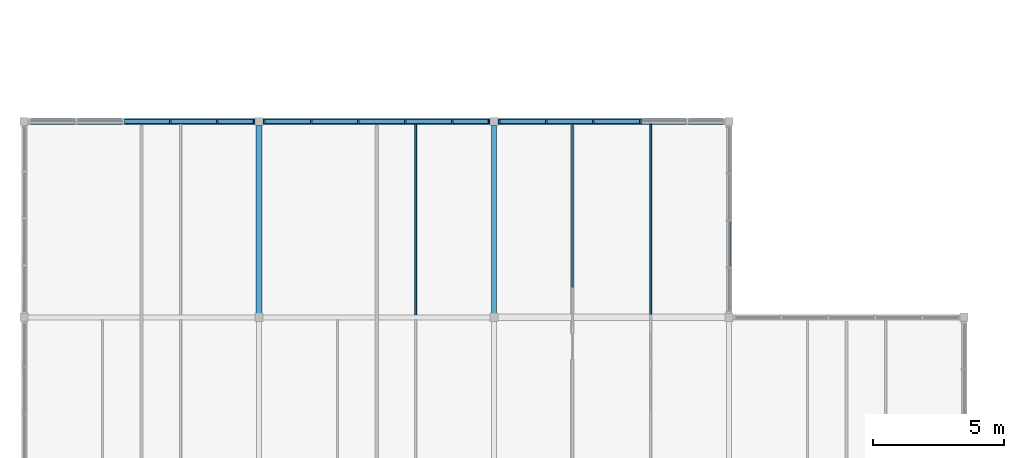
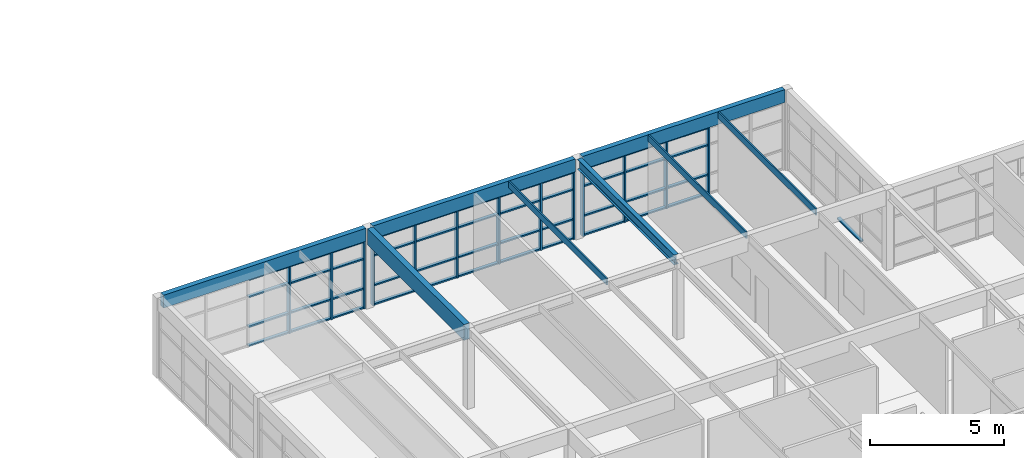
# One storey, part 7 of 24: 58 members, 8 beams, 4 elements without a shape of their own.
"""IFC4 building model written with IfcOpenShell, lengths in metres."""

from ifc_helpers import new_model, si_unit, direction, frame, origin, origin_2d, place, context, subcontext, project, spatial, rectangle, i_section, extrude, material, layer, layer_set, material_profile, profile_set, type_object, element, aggregate, save


model = new_model("IFC4")

# Units and contexts
model_context = context("Model", 3, precision=1e-05, world=origin(), true_north=direction((0.0, 1.0)))
body_context = subcontext(model_context, "Body", "Model", "MODEL_VIEW")
ifc_project = project(units=[si_unit("LENGTHUNIT", "METRE"), si_unit("AREAUNIT", "SQUARE_METRE"), si_unit("VOLUMEUNIT", "CUBIC_METRE"), si_unit("PLANEANGLEUNIT", "RADIAN"), si_unit("MASSUNIT", "GRAM", prefix="KILO")], contexts=[model_context])

# Site, building, storey
site_placement = place(None, origin())
site = spatial("IfcSite", under=ifc_project, at=site_placement, CompositionType="ELEMENT")
building_placement = place(site_placement, origin())
building = spatial("IfcBuilding", under=site, at=building_placement, Name="Marnridge Secondary College", CompositionType="ELEMENT")
storey_placement = place(building_placement, frame((0.0, 0.0, 16.10009765625)))
storey = spatial("IfcBuildingStorey", under=building, at=storey_placement, Name="L04", CompositionType="ELEMENT", Elevation=16.10009765625)

# Beams
ifc_material_1 = material(Name="Glulam timber GL18", Category="wood")
ifc_material_profile_1 = material_profile(ifc_material_1, rectangle(XDim=0.215087890625, YDim=0.5849609375, at=origin_2d()), Name="GL18 215x585")
ifc_profile_set_1 = profile_set([ifc_material_profile_1], Name="Glulam timber GL18")
beam_type_1 = type_object("IfcBeamType", Name="BM-GL585-EXT", PredefinedType="SPANDREL", material=ifc_profile_set_1)
for number, where, z_axis, x_axis, name in (
    (1, (0.151611328125, 37.5, 3.357421875), (1.0, 0.0, 0.0), (0.0, 1.0, 0.0), "Beam BRF-L04-1423"),
    (2, (9.151611328125, 37.5, 3.357421875), (1.0, 0.0, 0.0), (0.0, 1.0, 0.0), "Beam BRF-L04-1426"),
    (3, (18.151611328125, 37.5, 3.357421875), (1.0, 0.0, 0.0), (0.0, 1.0, 0.0), "Beam BRF-L04-1428"),
):
    element("IfcBeam", number, at=place(storey_placement, frame(where, z_axis=z_axis, x_axis=x_axis)), inside=storey, type_object=beam_type_1, Name=name, PredefinedType="SPANDREL", context=body_context, shape_type="SweptSolid", body=[
        extrude(rectangle(XDim=0.215087890625, YDim=0.5849609375, at=origin_2d()), origin(), (0.0, 0.0, 1.0), 8.69677734375),
    ])
ifc_material_2 = material(Name="Glulam timber GL18", Category="wood")
ifc_material_profile_2 = material_profile(ifc_material_2, rectangle(XDim=0.239990234375, YDim=0.719970703125, at=origin_2d()), Name="GL18 240x720")
ifc_profile_set_2 = profile_set([ifc_material_profile_2], Name="Glulam timber GL18")
beam_type_2 = type_object("IfcBeamType", Name="BM-GL720-INT", PredefinedType="BEAM", material=ifc_profile_set_2)
beam_1_placement = place(storey_placement, frame((9.0, 30.151611328125, 3.289794921875), z_axis=(0.0, 1.0, 0.0), x_axis=(-1.0, 0.0, 0.0)))
element("IfcBeam", 4, at=beam_1_placement, inside=storey, type_object=beam_type_2, Name="Beam BRF-L04-1425", PredefinedType="BEAM", context=body_context, shape_type="SweptSolid", body=[
    extrude(rectangle(XDim=0.239990234375, YDim=0.719970703125, at=origin_2d()), origin(), (0.0, 0.0, 1.0), 7.19677734375),
])
ifc_material_3 = material(Name="Engineered timber LVL E13.2", Category="wood")
ifc_material_profile_3 = material_profile(ifc_material_3, rectangle(XDim=0.06298828125, YDim=0.300048828125, at=origin_2d()), Name="LVL 63x300")
ifc_profile_set_3 = profile_set([ifc_material_profile_3], Name="Engineered timber LVL E13.2")
beam_type_3 = type_object("IfcBeamType", Name="BM-LVL300-INT", PredefinedType="JOIST", material=ifc_profile_set_3)
beam_2_placement = place(storey_placement, frame((15.0, 30.089111328125, 3.5), z_axis=(0.0, 1.0, 0.0), x_axis=(-1.0, 0.0, 0.0)))
element("IfcBeam", 5, at=beam_2_placement, inside=storey, type_object=beam_type_3, Name="Beam BJ-L04-1457", PredefinedType="JOIST", context=body_context, shape_type="SweptSolid", body=[
    extrude(rectangle(XDim=0.06298828125, YDim=0.300048828125, at=origin_2d()), origin(), (0.0, 0.0, 1.0), 7.309326171875),
])
for number, where, z_axis, x_axis, name in (
    (6, (21.0, 30.114013671875, 3.5), (0.0, 1.0, 0.0), (-1.0, 0.0, 0.0), "Beam BJ-L04-1458"),
    (7, (24.0, 30.114013671875, 3.5), (0.0, 1.0, 0.0), (-1.0, 0.0, 0.0), "Beam BJ-L04-1459"),
):
    element("IfcBeam", number, at=place(storey_placement, frame(where, z_axis=z_axis, x_axis=x_axis)), inside=storey, type_object=beam_type_3, Name=name, PredefinedType="JOIST", context=body_context, shape_type="SweptSolid", body=[
        extrude(rectangle(XDim=0.06298828125, YDim=0.300048828125, at=origin_2d()), origin(), (0.0, 0.0, 1.0), 7.284423828125),
    ])
ifc_material_4 = material(Name="Structural steel Grade 350 (AS/NZS 3679.1/.2, fy = 340-360 MPa)", Category="steel")
ifc_material_profile_4 = material_profile(ifc_material_4, i_section(OverallWidth=0.1904296875, OverallDepth=0.45751953125, WebThickness=0.009033203125, FlangeThickness=0.014404296875, FilletRadius=0.011474609375, at=origin_2d()), Name="460UB74.6")
ifc_profile_set_4 = profile_set([ifc_material_profile_4], Name="Structural steel Grade 350 (AS/NZS 3679.1/.2, fy = 340-360 MPa)")
beam_type_4 = type_object("IfcBeamType", Name="BM-UB460-INT", PredefinedType="BEAM", material=ifc_profile_set_4)
beam_3_placement = place(storey_placement, frame((18.0, 30.151611328125, 3.421142578125), z_axis=(0.0, 1.0, 0.0), x_axis=(-1.0, 0.0, 0.0)))
element("IfcBeam", 8, at=beam_3_placement, inside=storey, type_object=beam_type_4, Name="Beam BRF-L04-1427", PredefinedType="BEAM", context=body_context, shape_type="SweptSolid", body=[
    extrude(i_section(OverallWidth=0.1904296875, OverallDepth=0.45751953125, WebThickness=0.009033203125, FlangeThickness=0.014404296875, FilletRadius=0.011474609375, at=origin_2d()), origin(), (0.0, 0.0, 1.0), 7.19677734375),
])

# Curtain wall, members
ifc_material_5 = material(Name="Bronze-anodised aluminium and solar-control glazing", Category="aluminium")
ifc_layer = layer(ifc_material_5, 0.199951171875)
ifc_layer_set = layer_set([ifc_layer], Name="CW-MOD-1800")
curtain_wall_type = type_object("IfcCurtainWallType", Name="CW-MOD-1800", PredefinedType="NOTDEFINED", material=ifc_layer_set)
curtain_wall_1_placement = place(storey_placement, origin())
curtain_wall_1 = element("IfcCurtainWall", 9, at=curtain_wall_1_placement, inside=storey, type_object=curtain_wall_type, Name="Unitised curtain wall CW-L04-140", PredefinedType="NOTDEFINED")
ifc_material_6 = material(Name="Bronze-anodised aluminium 6063-T6", Category="aluminium")
ifc_material_profile_5 = material_profile(ifc_material_6, rectangle(XDim=0.070068359375, YDim=0.199951171875, at=origin_2d()), Name="ALU 70x200")
ifc_profile_set_5 = profile_set([ifc_material_profile_5], Name="Bronze-anodised aluminium 6063-T6")
member_type_1 = type_object("IfcMemberType", Name="CWM-ALU200", PredefinedType="MULLION", material=ifc_profile_set_5)
member_1_placement = place(storey_placement, frame((5.596435546875, 37.5, 0.0), z_axis=(0.0, 0.0, 1.0), x_axis=(1.0, 0.0, 0.0)))
member_1 = element("IfcMember", 10, at=member_1_placement, type_object=member_type_1, Name="CW-L04-140 mullion 4", PredefinedType="MULLION", context=body_context, shape_type="SweptSolid", body=[
    extrude(rectangle(XDim=0.070068359375, YDim=0.199951171875, at=origin_2d()), origin(), (0.0, 0.0, 1.0), 3.056884765625),
])
member_2_placement = place(storey_placement, frame((7.396484375, 37.5, 0.0), z_axis=(0.0, 0.0, 1.0), x_axis=(1.0, 0.0, 0.0)))
member_2 = element("IfcMember", 11, at=member_2_placement, type_object=member_type_1, Name="CW-L04-140 mullion 5", PredefinedType="MULLION", context=body_context, shape_type="SweptSolid", body=[
    extrude(rectangle(XDim=0.070068359375, YDim=0.199951171875, at=origin_2d()), origin(), (0.0, 0.0, 1.0), 3.056884765625),
])
member_3_placement = place(storey_placement, frame((8.803466796875, 37.5, 0.0), z_axis=(0.0, 0.0, 1.0), x_axis=(1.0, 0.0, 0.0)))
member_3 = element("IfcMember", 12, at=member_3_placement, type_object=member_type_1, Name="CW-L04-140 mullion 6", PredefinedType="MULLION", context=body_context, shape_type="SweptSolid", body=[
    extrude(rectangle(XDim=0.070068359375, YDim=0.199951171875, at=origin_2d()), origin(), (0.0, 0.0, 1.0), 3.056884765625),
])

curtain_wall_2_placement = place(storey_placement, origin())
curtain_wall_2 = element("IfcCurtainWall", 13, at=curtain_wall_2_placement, inside=storey, type_object=curtain_wall_type, Name="Unitised curtain wall CW-L04-141", PredefinedType="NOTDEFINED")
member_4_placement = place(storey_placement, frame((9.196533203125, 37.5, 0.0), z_axis=(0.0, 0.0, 1.0), x_axis=(1.0, 0.0, 0.0)))
member_4 = element("IfcMember", 14, at=member_4_placement, type_object=member_type_1, Name="CW-L04-141 mullion 1", PredefinedType="MULLION", context=body_context, shape_type="SweptSolid", body=[
    extrude(rectangle(XDim=0.070068359375, YDim=0.199951171875, at=origin_2d()), origin(), (0.0, 0.0, 1.0), 3.056884765625),
])
member_5_placement = place(storey_placement, frame((10.99658203125, 37.5, 0.0), z_axis=(0.0, 0.0, 1.0), x_axis=(1.0, 0.0, 0.0)))
member_5 = element("IfcMember", 15, at=member_5_placement, type_object=member_type_1, Name="CW-L04-141 mullion 2", PredefinedType="MULLION", context=body_context, shape_type="SweptSolid", body=[
    extrude(rectangle(XDim=0.070068359375, YDim=0.199951171875, at=origin_2d()), origin(), (0.0, 0.0, 1.0), 3.056884765625),
])
member_6_placement = place(storey_placement, frame((12.79638671875, 37.5, 0.0), z_axis=(0.0, 0.0, 1.0), x_axis=(1.0, 0.0, 0.0)))
member_6 = element("IfcMember", 16, at=member_6_placement, type_object=member_type_1, Name="CW-L04-141 mullion 3", PredefinedType="MULLION", context=body_context, shape_type="SweptSolid", body=[
    extrude(rectangle(XDim=0.070068359375, YDim=0.199951171875, at=origin_2d()), origin(), (0.0, 0.0, 1.0), 3.056884765625),
])
member_7_placement = place(storey_placement, frame((14.596435546875, 37.5, 0.0), z_axis=(0.0, 0.0, 1.0), x_axis=(1.0, 0.0, 0.0)))
member_7 = element("IfcMember", 17, at=member_7_placement, type_object=member_type_1, Name="CW-L04-141 mullion 4", PredefinedType="MULLION", context=body_context, shape_type="SweptSolid", body=[
    extrude(rectangle(XDim=0.070068359375, YDim=0.199951171875, at=origin_2d()), origin(), (0.0, 0.0, 1.0), 3.056884765625),
])
member_8_placement = place(storey_placement, frame((16.396484375, 37.5, 0.0), z_axis=(0.0, 0.0, 1.0), x_axis=(1.0, 0.0, 0.0)))
member_8 = element("IfcMember", 18, at=member_8_placement, type_object=member_type_1, Name="CW-L04-141 mullion 5", PredefinedType="MULLION", context=body_context, shape_type="SweptSolid", body=[
    extrude(rectangle(XDim=0.070068359375, YDim=0.199951171875, at=origin_2d()), origin(), (0.0, 0.0, 1.0), 3.056884765625),
])
member_9_placement = place(storey_placement, frame((17.803466796875, 37.5, 0.0), z_axis=(0.0, 0.0, 1.0), x_axis=(1.0, 0.0, 0.0)))
member_9 = element("IfcMember", 19, at=member_9_placement, type_object=member_type_1, Name="CW-L04-141 mullion 6", PredefinedType="MULLION", context=body_context, shape_type="SweptSolid", body=[
    extrude(rectangle(XDim=0.070068359375, YDim=0.199951171875, at=origin_2d()), origin(), (0.0, 0.0, 1.0), 3.056884765625),
])

curtain_wall_3_placement = place(storey_placement, origin())
curtain_wall_3 = element("IfcCurtainWall", 20, at=curtain_wall_3_placement, inside=storey, type_object=curtain_wall_type, Name="Unitised curtain wall CW-L04-142", PredefinedType="NOTDEFINED")
member_10_placement = place(storey_placement, frame((18.196533203125, 37.5, 0.0), z_axis=(0.0, 0.0, 1.0), x_axis=(1.0, 0.0, 0.0)))
member_10 = element("IfcMember", 21, at=member_10_placement, type_object=member_type_1, Name="CW-L04-142 mullion 1", PredefinedType="MULLION", context=body_context, shape_type="SweptSolid", body=[
    extrude(rectangle(XDim=0.070068359375, YDim=0.199951171875, at=origin_2d()), origin(), (0.0, 0.0, 1.0), 3.056884765625),
])
member_11_placement = place(storey_placement, frame((19.99658203125, 37.5, 0.0), z_axis=(0.0, 0.0, 1.0), x_axis=(1.0, 0.0, 0.0)))
member_11 = element("IfcMember", 22, at=member_11_placement, type_object=member_type_1, Name="CW-L04-142 mullion 2", PredefinedType="MULLION", context=body_context, shape_type="SweptSolid", body=[
    extrude(rectangle(XDim=0.070068359375, YDim=0.199951171875, at=origin_2d()), origin(), (0.0, 0.0, 1.0), 3.056884765625),
])
member_12_placement = place(storey_placement, frame((21.79638671875, 37.5, 0.0), z_axis=(0.0, 0.0, 1.0), x_axis=(1.0, 0.0, 0.0)))
member_12 = element("IfcMember", 23, at=member_12_placement, type_object=member_type_1, Name="CW-L04-142 mullion 3", PredefinedType="MULLION", context=body_context, shape_type="SweptSolid", body=[
    extrude(rectangle(XDim=0.070068359375, YDim=0.199951171875, at=origin_2d()), origin(), (0.0, 0.0, 1.0), 3.056884765625),
])
member_13_placement = place(storey_placement, frame((23.596435546875, 37.5, 0.0), z_axis=(0.0, 0.0, 1.0), x_axis=(1.0, 0.0, 0.0)))
member_13 = element("IfcMember", 24, at=member_13_placement, type_object=member_type_1, Name="CW-L04-142 mullion 4", PredefinedType="MULLION", context=body_context, shape_type="SweptSolid", body=[
    extrude(rectangle(XDim=0.070068359375, YDim=0.199951171875, at=origin_2d()), origin(), (0.0, 0.0, 1.0), 3.056884765625),
])

# Member
ifc_material_7 = material(Name="Anodised aluminium 6063-T6", Category="aluminium")
ifc_material_profile_6 = material_profile(ifc_material_7, rectangle(XDim=0.06494140625, YDim=0.139892578125, at=origin_2d()), Name="ALU 65x140")
ifc_profile_set_6 = profile_set([ifc_material_profile_6], Name="Anodised aluminium 6063-T6")
member_type_2 = type_object("IfcMemberType", Name="CWT-ALU140", PredefinedType="USERDEFINED", material=ifc_profile_set_6)
member_14_placement = place(storey_placement, frame((3.83154296875, 37.5, 0.032470703125), z_axis=(1.0, 0.0, 0.0), x_axis=(0.0, 0.0, 1.0)))
member_14 = element("IfcMember", 25, at=member_14_placement, type_object=member_type_2, Name="CW-L04-140 transom 3.1", ObjectType="TRANSOM", PredefinedType="USERDEFINED", context=body_context, shape_type="SweptSolid", body=[
    extrude(rectangle(XDim=0.06494140625, YDim=0.139892578125, at=origin_2d()), origin(), (0.0, 0.0, 1.0), 1.72998046875),
])

member_15_placement = place(storey_placement, frame((3.83154296875, 37.5, 0.89990234375), z_axis=(1.0, 0.0, 0.0), x_axis=(0.0, 0.0, 1.0)))
member_15 = element("IfcMember", 26, at=member_15_placement, type_object=member_type_2, Name="CW-L04-140 transom 3.2", ObjectType="TRANSOM", PredefinedType="USERDEFINED", context=body_context, shape_type="SweptSolid", body=[
    extrude(rectangle(XDim=0.06494140625, YDim=0.139892578125, at=origin_2d()), origin(), (0.0, 0.0, 1.0), 1.72998046875),
])

member_16_placement = place(storey_placement, frame((3.83154296875, 37.5, 2.25), z_axis=(1.0, 0.0, 0.0), x_axis=(0.0, 0.0, 1.0)))
member_16 = element("IfcMember", 27, at=member_16_placement, type_object=member_type_2, Name="CW-L04-140 transom 3.3", ObjectType="TRANSOM", PredefinedType="USERDEFINED", context=body_context, shape_type="SweptSolid", body=[
    extrude(rectangle(XDim=0.06494140625, YDim=0.139892578125, at=origin_2d()), origin(), (0.0, 0.0, 1.0), 1.72998046875),
])

member_17_placement = place(storey_placement, frame((3.83154296875, 37.5, 3.0244140625), z_axis=(1.0, 0.0, 0.0), x_axis=(0.0, 0.0, 1.0)))
member_17 = element("IfcMember", 28, at=member_17_placement, type_object=member_type_2, Name="CW-L04-140 transom 3.4", ObjectType="TRANSOM", PredefinedType="USERDEFINED", context=body_context, shape_type="SweptSolid", body=[
    extrude(rectangle(XDim=0.06494140625, YDim=0.139892578125, at=origin_2d()), origin(), (0.0, 0.0, 1.0), 1.72998046875),
])

member_18_placement = place(storey_placement, frame((5.631591796875, 37.5, 0.032470703125), z_axis=(1.0, 0.0, 0.0), x_axis=(0.0, 0.0, 1.0)))
member_18 = element("IfcMember", 29, at=member_18_placement, type_object=member_type_2, Name="CW-L04-140 transom 4.1", ObjectType="TRANSOM", PredefinedType="USERDEFINED", context=body_context, shape_type="SweptSolid", body=[
    extrude(rectangle(XDim=0.06494140625, YDim=0.139892578125, at=origin_2d()), origin(), (0.0, 0.0, 1.0), 1.72998046875),
])

member_19_placement = place(storey_placement, frame((5.631591796875, 37.5, 0.89990234375), z_axis=(1.0, 0.0, 0.0), x_axis=(0.0, 0.0, 1.0)))
member_19 = element("IfcMember", 30, at=member_19_placement, type_object=member_type_2, Name="CW-L04-140 transom 4.2", ObjectType="TRANSOM", PredefinedType="USERDEFINED", context=body_context, shape_type="SweptSolid", body=[
    extrude(rectangle(XDim=0.06494140625, YDim=0.139892578125, at=origin_2d()), origin(), (0.0, 0.0, 1.0), 1.72998046875),
])

member_20_placement = place(storey_placement, frame((5.631591796875, 37.5, 2.25), z_axis=(1.0, 0.0, 0.0), x_axis=(0.0, 0.0, 1.0)))
member_20 = element("IfcMember", 31, at=member_20_placement, type_object=member_type_2, Name="CW-L04-140 transom 4.3", ObjectType="TRANSOM", PredefinedType="USERDEFINED", context=body_context, shape_type="SweptSolid", body=[
    extrude(rectangle(XDim=0.06494140625, YDim=0.139892578125, at=origin_2d()), origin(), (0.0, 0.0, 1.0), 1.72998046875),
])

member_21_placement = place(storey_placement, frame((5.631591796875, 37.5, 3.0244140625), z_axis=(1.0, 0.0, 0.0), x_axis=(0.0, 0.0, 1.0)))
member_21 = element("IfcMember", 32, at=member_21_placement, type_object=member_type_2, Name="CW-L04-140 transom 4.4", ObjectType="TRANSOM", PredefinedType="USERDEFINED", context=body_context, shape_type="SweptSolid", body=[
    extrude(rectangle(XDim=0.06494140625, YDim=0.139892578125, at=origin_2d()), origin(), (0.0, 0.0, 1.0), 1.72998046875),
])

member_22_placement = place(storey_placement, frame((7.431396484375, 37.5, 0.032470703125), z_axis=(1.0, 0.0, 0.0), x_axis=(0.0, 0.0, 1.0)))
member_22 = element("IfcMember", 33, at=member_22_placement, type_object=member_type_2, Name="CW-L04-140 transom 5.1", ObjectType="TRANSOM", PredefinedType="USERDEFINED", context=body_context, shape_type="SweptSolid", body=[
    extrude(rectangle(XDim=0.06494140625, YDim=0.139892578125, at=origin_2d()), origin(), (0.0, 0.0, 1.0), 1.337158203125),
])

member_23_placement = place(storey_placement, frame((7.431396484375, 37.5, 0.89990234375), z_axis=(1.0, 0.0, 0.0), x_axis=(0.0, 0.0, 1.0)))
member_23 = element("IfcMember", 34, at=member_23_placement, type_object=member_type_2, Name="CW-L04-140 transom 5.2", ObjectType="TRANSOM", PredefinedType="USERDEFINED", context=body_context, shape_type="SweptSolid", body=[
    extrude(rectangle(XDim=0.06494140625, YDim=0.139892578125, at=origin_2d()), origin(), (0.0, 0.0, 1.0), 1.337158203125),
])

member_24_placement = place(storey_placement, frame((7.431396484375, 37.5, 2.25), z_axis=(1.0, 0.0, 0.0), x_axis=(0.0, 0.0, 1.0)))
member_24 = element("IfcMember", 35, at=member_24_placement, type_object=member_type_2, Name="CW-L04-140 transom 5.3", ObjectType="TRANSOM", PredefinedType="USERDEFINED", context=body_context, shape_type="SweptSolid", body=[
    extrude(rectangle(XDim=0.06494140625, YDim=0.139892578125, at=origin_2d()), origin(), (0.0, 0.0, 1.0), 1.337158203125),
])

member_25_placement = place(storey_placement, frame((7.431396484375, 37.5, 3.0244140625), z_axis=(1.0, 0.0, 0.0), x_axis=(0.0, 0.0, 1.0)))
member_25 = element("IfcMember", 36, at=member_25_placement, type_object=member_type_2, Name="CW-L04-140 transom 5.4", ObjectType="TRANSOM", PredefinedType="USERDEFINED", context=body_context, shape_type="SweptSolid", body=[
    extrude(rectangle(XDim=0.06494140625, YDim=0.139892578125, at=origin_2d()), origin(), (0.0, 0.0, 1.0), 1.337158203125),
])

aggregate(curtain_wall_1, [member_1, member_2, member_3, member_14, member_15, member_16, member_17, member_18, member_19, member_20, member_21, member_22, member_23, member_24, member_25])

member_26_placement = place(storey_placement, frame((9.2314453125, 37.5, 0.032470703125), z_axis=(1.0, 0.0, 0.0), x_axis=(0.0, 0.0, 1.0)))
member_26 = element("IfcMember", 37, at=member_26_placement, type_object=member_type_2, Name="CW-L04-141 transom 1.1", ObjectType="TRANSOM", PredefinedType="USERDEFINED", context=body_context, shape_type="SweptSolid", body=[
    extrude(rectangle(XDim=0.06494140625, YDim=0.139892578125, at=origin_2d()), origin(), (0.0, 0.0, 1.0), 1.72998046875),
])

member_27_placement = place(storey_placement, frame((9.2314453125, 37.5, 0.89990234375), z_axis=(1.0, 0.0, 0.0), x_axis=(0.0, 0.0, 1.0)))
member_27 = element("IfcMember", 38, at=member_27_placement, type_object=member_type_2, Name="CW-L04-141 transom 1.2", ObjectType="TRANSOM", PredefinedType="USERDEFINED", context=body_context, shape_type="SweptSolid", body=[
    extrude(rectangle(XDim=0.06494140625, YDim=0.139892578125, at=origin_2d()), origin(), (0.0, 0.0, 1.0), 1.72998046875),
])

member_28_placement = place(storey_placement, frame((9.2314453125, 37.5, 2.25), z_axis=(1.0, 0.0, 0.0), x_axis=(0.0, 0.0, 1.0)))
member_28 = element("IfcMember", 39, at=member_28_placement, type_object=member_type_2, Name="CW-L04-141 transom 1.3", ObjectType="TRANSOM", PredefinedType="USERDEFINED", context=body_context, shape_type="SweptSolid", body=[
    extrude(rectangle(XDim=0.06494140625, YDim=0.139892578125, at=origin_2d()), origin(), (0.0, 0.0, 1.0), 1.72998046875),
])

member_29_placement = place(storey_placement, frame((9.2314453125, 37.5, 3.0244140625), z_axis=(1.0, 0.0, 0.0), x_axis=(0.0, 0.0, 1.0)))
member_29 = element("IfcMember", 40, at=member_29_placement, type_object=member_type_2, Name="CW-L04-141 transom 1.4", ObjectType="TRANSOM", PredefinedType="USERDEFINED", context=body_context, shape_type="SweptSolid", body=[
    extrude(rectangle(XDim=0.06494140625, YDim=0.139892578125, at=origin_2d()), origin(), (0.0, 0.0, 1.0), 1.72998046875),
])

member_30_placement = place(storey_placement, frame((11.031494140625, 37.5, 0.032470703125), z_axis=(1.0, 0.0, 0.0), x_axis=(0.0, 0.0, 1.0)))
member_30 = element("IfcMember", 41, at=member_30_placement, type_object=member_type_2, Name="CW-L04-141 transom 2.1", ObjectType="TRANSOM", PredefinedType="USERDEFINED", context=body_context, shape_type="SweptSolid", body=[
    extrude(rectangle(XDim=0.06494140625, YDim=0.139892578125, at=origin_2d()), origin(), (0.0, 0.0, 1.0), 1.72998046875),
])

member_31_placement = place(storey_placement, frame((11.031494140625, 37.5, 0.89990234375), z_axis=(1.0, 0.0, 0.0), x_axis=(0.0, 0.0, 1.0)))
member_31 = element("IfcMember", 42, at=member_31_placement, type_object=member_type_2, Name="CW-L04-141 transom 2.2", ObjectType="TRANSOM", PredefinedType="USERDEFINED", context=body_context, shape_type="SweptSolid", body=[
    extrude(rectangle(XDim=0.06494140625, YDim=0.139892578125, at=origin_2d()), origin(), (0.0, 0.0, 1.0), 1.72998046875),
])

member_32_placement = place(storey_placement, frame((11.031494140625, 37.5, 2.25), z_axis=(1.0, 0.0, 0.0), x_axis=(0.0, 0.0, 1.0)))
member_32 = element("IfcMember", 43, at=member_32_placement, type_object=member_type_2, Name="CW-L04-141 transom 2.3", ObjectType="TRANSOM", PredefinedType="USERDEFINED", context=body_context, shape_type="SweptSolid", body=[
    extrude(rectangle(XDim=0.06494140625, YDim=0.139892578125, at=origin_2d()), origin(), (0.0, 0.0, 1.0), 1.72998046875),
])

member_33_placement = place(storey_placement, frame((11.031494140625, 37.5, 3.0244140625), z_axis=(1.0, 0.0, 0.0), x_axis=(0.0, 0.0, 1.0)))
member_33 = element("IfcMember", 44, at=member_33_placement, type_object=member_type_2, Name="CW-L04-141 transom 2.4", ObjectType="TRANSOM", PredefinedType="USERDEFINED", context=body_context, shape_type="SweptSolid", body=[
    extrude(rectangle(XDim=0.06494140625, YDim=0.139892578125, at=origin_2d()), origin(), (0.0, 0.0, 1.0), 1.72998046875),
])

member_34_placement = place(storey_placement, frame((12.83154296875, 37.5, 0.032470703125), z_axis=(1.0, 0.0, 0.0), x_axis=(0.0, 0.0, 1.0)))
member_34 = element("IfcMember", 45, at=member_34_placement, type_object=member_type_2, Name="CW-L04-141 transom 3.1", ObjectType="TRANSOM", PredefinedType="USERDEFINED", context=body_context, shape_type="SweptSolid", body=[
    extrude(rectangle(XDim=0.06494140625, YDim=0.139892578125, at=origin_2d()), origin(), (0.0, 0.0, 1.0), 1.72998046875),
])

member_35_placement = place(storey_placement, frame((12.83154296875, 37.5, 0.89990234375), z_axis=(1.0, 0.0, 0.0), x_axis=(0.0, 0.0, 1.0)))
member_35 = element("IfcMember", 46, at=member_35_placement, type_object=member_type_2, Name="CW-L04-141 transom 3.2", ObjectType="TRANSOM", PredefinedType="USERDEFINED", context=body_context, shape_type="SweptSolid", body=[
    extrude(rectangle(XDim=0.06494140625, YDim=0.139892578125, at=origin_2d()), origin(), (0.0, 0.0, 1.0), 1.72998046875),
])

member_36_placement = place(storey_placement, frame((12.83154296875, 37.5, 2.25), z_axis=(1.0, 0.0, 0.0), x_axis=(0.0, 0.0, 1.0)))
member_36 = element("IfcMember", 47, at=member_36_placement, type_object=member_type_2, Name="CW-L04-141 transom 3.3", ObjectType="TRANSOM", PredefinedType="USERDEFINED", context=body_context, shape_type="SweptSolid", body=[
    extrude(rectangle(XDim=0.06494140625, YDim=0.139892578125, at=origin_2d()), origin(), (0.0, 0.0, 1.0), 1.72998046875),
])

member_37_placement = place(storey_placement, frame((12.83154296875, 37.5, 3.0244140625), z_axis=(1.0, 0.0, 0.0), x_axis=(0.0, 0.0, 1.0)))
member_37 = element("IfcMember", 48, at=member_37_placement, type_object=member_type_2, Name="CW-L04-141 transom 3.4", ObjectType="TRANSOM", PredefinedType="USERDEFINED", context=body_context, shape_type="SweptSolid", body=[
    extrude(rectangle(XDim=0.06494140625, YDim=0.139892578125, at=origin_2d()), origin(), (0.0, 0.0, 1.0), 1.72998046875),
])

member_38_placement = place(storey_placement, frame((14.631591796875, 37.5, 0.032470703125), z_axis=(1.0, 0.0, 0.0), x_axis=(0.0, 0.0, 1.0)))
member_38 = element("IfcMember", 49, at=member_38_placement, type_object=member_type_2, Name="CW-L04-141 transom 4.1", ObjectType="TRANSOM", PredefinedType="USERDEFINED", context=body_context, shape_type="SweptSolid", body=[
    extrude(rectangle(XDim=0.06494140625, YDim=0.139892578125, at=origin_2d()), origin(), (0.0, 0.0, 1.0), 1.72998046875),
])

member_39_placement = place(storey_placement, frame((14.631591796875, 37.5, 0.89990234375), z_axis=(1.0, 0.0, 0.0), x_axis=(0.0, 0.0, 1.0)))
member_39 = element("IfcMember", 50, at=member_39_placement, type_object=member_type_2, Name="CW-L04-141 transom 4.2", ObjectType="TRANSOM", PredefinedType="USERDEFINED", context=body_context, shape_type="SweptSolid", body=[
    extrude(rectangle(XDim=0.06494140625, YDim=0.139892578125, at=origin_2d()), origin(), (0.0, 0.0, 1.0), 1.72998046875),
])

member_40_placement = place(storey_placement, frame((14.631591796875, 37.5, 2.25), z_axis=(1.0, 0.0, 0.0), x_axis=(0.0, 0.0, 1.0)))
member_40 = element("IfcMember", 51, at=member_40_placement, type_object=member_type_2, Name="CW-L04-141 transom 4.3", ObjectType="TRANSOM", PredefinedType="USERDEFINED", context=body_context, shape_type="SweptSolid", body=[
    extrude(rectangle(XDim=0.06494140625, YDim=0.139892578125, at=origin_2d()), origin(), (0.0, 0.0, 1.0), 1.72998046875),
])

member_41_placement = place(storey_placement, frame((14.631591796875, 37.5, 3.0244140625), z_axis=(1.0, 0.0, 0.0), x_axis=(0.0, 0.0, 1.0)))
member_41 = element("IfcMember", 52, at=member_41_placement, type_object=member_type_2, Name="CW-L04-141 transom 4.4", ObjectType="TRANSOM", PredefinedType="USERDEFINED", context=body_context, shape_type="SweptSolid", body=[
    extrude(rectangle(XDim=0.06494140625, YDim=0.139892578125, at=origin_2d()), origin(), (0.0, 0.0, 1.0), 1.72998046875),
])

member_42_placement = place(storey_placement, frame((16.431396484375, 37.5, 0.032470703125), z_axis=(1.0, 0.0, 0.0), x_axis=(0.0, 0.0, 1.0)))
member_42 = element("IfcMember", 53, at=member_42_placement, type_object=member_type_2, Name="CW-L04-141 transom 5.1", ObjectType="TRANSOM", PredefinedType="USERDEFINED", context=body_context, shape_type="SweptSolid", body=[
    extrude(rectangle(XDim=0.06494140625, YDim=0.139892578125, at=origin_2d()), origin(), (0.0, 0.0, 1.0), 1.337158203125),
])

member_43_placement = place(storey_placement, frame((16.431396484375, 37.5, 0.89990234375), z_axis=(1.0, 0.0, 0.0), x_axis=(0.0, 0.0, 1.0)))
member_43 = element("IfcMember", 54, at=member_43_placement, type_object=member_type_2, Name="CW-L04-141 transom 5.2", ObjectType="TRANSOM", PredefinedType="USERDEFINED", context=body_context, shape_type="SweptSolid", body=[
    extrude(rectangle(XDim=0.06494140625, YDim=0.139892578125, at=origin_2d()), origin(), (0.0, 0.0, 1.0), 1.337158203125),
])

member_44_placement = place(storey_placement, frame((16.431396484375, 37.5, 2.25), z_axis=(1.0, 0.0, 0.0), x_axis=(0.0, 0.0, 1.0)))
member_44 = element("IfcMember", 55, at=member_44_placement, type_object=member_type_2, Name="CW-L04-141 transom 5.3", ObjectType="TRANSOM", PredefinedType="USERDEFINED", context=body_context, shape_type="SweptSolid", body=[
    extrude(rectangle(XDim=0.06494140625, YDim=0.139892578125, at=origin_2d()), origin(), (0.0, 0.0, 1.0), 1.337158203125),
])

member_45_placement = place(storey_placement, frame((16.431396484375, 37.5, 3.0244140625), z_axis=(1.0, 0.0, 0.0), x_axis=(0.0, 0.0, 1.0)))
member_45 = element("IfcMember", 56, at=member_45_placement, type_object=member_type_2, Name="CW-L04-141 transom 5.4", ObjectType="TRANSOM", PredefinedType="USERDEFINED", context=body_context, shape_type="SweptSolid", body=[
    extrude(rectangle(XDim=0.06494140625, YDim=0.139892578125, at=origin_2d()), origin(), (0.0, 0.0, 1.0), 1.337158203125),
])

aggregate(curtain_wall_2, [member_4, member_5, member_6, member_7, member_8, member_9, member_26, member_27, member_28, member_29, member_30, member_31, member_32, member_33, member_34, member_35, member_36, member_37, member_38, member_39, member_40, member_41, member_42, member_43, member_44, member_45])

member_46_placement = place(storey_placement, frame((18.2314453125, 37.5, 0.032470703125), z_axis=(1.0, 0.0, 0.0), x_axis=(0.0, 0.0, 1.0)))
member_46 = element("IfcMember", 57, at=member_46_placement, type_object=member_type_2, Name="CW-L04-142 transom 1.1", ObjectType="TRANSOM", PredefinedType="USERDEFINED", context=body_context, shape_type="SweptSolid", body=[
    extrude(rectangle(XDim=0.06494140625, YDim=0.139892578125, at=origin_2d()), origin(), (0.0, 0.0, 1.0), 1.72998046875),
])

member_47_placement = place(storey_placement, frame((18.2314453125, 37.5, 0.89990234375), z_axis=(1.0, 0.0, 0.0), x_axis=(0.0, 0.0, 1.0)))
member_47 = element("IfcMember", 58, at=member_47_placement, type_object=member_type_2, Name="CW-L04-142 transom 1.2", ObjectType="TRANSOM", PredefinedType="USERDEFINED", context=body_context, shape_type="SweptSolid", body=[
    extrude(rectangle(XDim=0.06494140625, YDim=0.139892578125, at=origin_2d()), origin(), (0.0, 0.0, 1.0), 1.72998046875),
])

member_48_placement = place(storey_placement, frame((18.2314453125, 37.5, 2.25), z_axis=(1.0, 0.0, 0.0), x_axis=(0.0, 0.0, 1.0)))
member_48 = element("IfcMember", 59, at=member_48_placement, type_object=member_type_2, Name="CW-L04-142 transom 1.3", ObjectType="TRANSOM", PredefinedType="USERDEFINED", context=body_context, shape_type="SweptSolid", body=[
    extrude(rectangle(XDim=0.06494140625, YDim=0.139892578125, at=origin_2d()), origin(), (0.0, 0.0, 1.0), 1.72998046875),
])

member_49_placement = place(storey_placement, frame((18.2314453125, 37.5, 3.0244140625), z_axis=(1.0, 0.0, 0.0), x_axis=(0.0, 0.0, 1.0)))
member_49 = element("IfcMember", 60, at=member_49_placement, type_object=member_type_2, Name="CW-L04-142 transom 1.4", ObjectType="TRANSOM", PredefinedType="USERDEFINED", context=body_context, shape_type="SweptSolid", body=[
    extrude(rectangle(XDim=0.06494140625, YDim=0.139892578125, at=origin_2d()), origin(), (0.0, 0.0, 1.0), 1.72998046875),
])

member_50_placement = place(storey_placement, frame((20.031494140625, 37.5, 0.032470703125), z_axis=(1.0, 0.0, 0.0), x_axis=(0.0, 0.0, 1.0)))
member_50 = element("IfcMember", 61, at=member_50_placement, type_object=member_type_2, Name="CW-L04-142 transom 2.1", ObjectType="TRANSOM", PredefinedType="USERDEFINED", context=body_context, shape_type="SweptSolid", body=[
    extrude(rectangle(XDim=0.06494140625, YDim=0.139892578125, at=origin_2d()), origin(), (0.0, 0.0, 1.0), 1.72998046875),
])

member_51_placement = place(storey_placement, frame((20.031494140625, 37.5, 0.89990234375), z_axis=(1.0, 0.0, 0.0), x_axis=(0.0, 0.0, 1.0)))
member_51 = element("IfcMember", 62, at=member_51_placement, type_object=member_type_2, Name="CW-L04-142 transom 2.2", ObjectType="TRANSOM", PredefinedType="USERDEFINED", context=body_context, shape_type="SweptSolid", body=[
    extrude(rectangle(XDim=0.06494140625, YDim=0.139892578125, at=origin_2d()), origin(), (0.0, 0.0, 1.0), 1.72998046875),
])

member_52_placement = place(storey_placement, frame((20.031494140625, 37.5, 2.25), z_axis=(1.0, 0.0, 0.0), x_axis=(0.0, 0.0, 1.0)))
member_52 = element("IfcMember", 63, at=member_52_placement, type_object=member_type_2, Name="CW-L04-142 transom 2.3", ObjectType="TRANSOM", PredefinedType="USERDEFINED", context=body_context, shape_type="SweptSolid", body=[
    extrude(rectangle(XDim=0.06494140625, YDim=0.139892578125, at=origin_2d()), origin(), (0.0, 0.0, 1.0), 1.72998046875),
])

member_53_placement = place(storey_placement, frame((20.031494140625, 37.5, 3.0244140625), z_axis=(1.0, 0.0, 0.0), x_axis=(0.0, 0.0, 1.0)))
member_53 = element("IfcMember", 64, at=member_53_placement, type_object=member_type_2, Name="CW-L04-142 transom 2.4", ObjectType="TRANSOM", PredefinedType="USERDEFINED", context=body_context, shape_type="SweptSolid", body=[
    extrude(rectangle(XDim=0.06494140625, YDim=0.139892578125, at=origin_2d()), origin(), (0.0, 0.0, 1.0), 1.72998046875),
])

member_54_placement = place(storey_placement, frame((21.83154296875, 37.5, 0.032470703125), z_axis=(1.0, 0.0, 0.0), x_axis=(0.0, 0.0, 1.0)))
member_54 = element("IfcMember", 65, at=member_54_placement, type_object=member_type_2, Name="CW-L04-142 transom 3.1", ObjectType="TRANSOM", PredefinedType="USERDEFINED", context=body_context, shape_type="SweptSolid", body=[
    extrude(rectangle(XDim=0.06494140625, YDim=0.139892578125, at=origin_2d()), origin(), (0.0, 0.0, 1.0), 1.72998046875),
])

member_55_placement = place(storey_placement, frame((21.83154296875, 37.5, 0.89990234375), z_axis=(1.0, 0.0, 0.0), x_axis=(0.0, 0.0, 1.0)))
member_55 = element("IfcMember", 66, at=member_55_placement, type_object=member_type_2, Name="CW-L04-142 transom 3.2", ObjectType="TRANSOM", PredefinedType="USERDEFINED", context=body_context, shape_type="SweptSolid", body=[
    extrude(rectangle(XDim=0.06494140625, YDim=0.139892578125, at=origin_2d()), origin(), (0.0, 0.0, 1.0), 1.72998046875),
])

member_56_placement = place(storey_placement, frame((21.83154296875, 37.5, 2.25), z_axis=(1.0, 0.0, 0.0), x_axis=(0.0, 0.0, 1.0)))
member_56 = element("IfcMember", 67, at=member_56_placement, type_object=member_type_2, Name="CW-L04-142 transom 3.3", ObjectType="TRANSOM", PredefinedType="USERDEFINED", context=body_context, shape_type="SweptSolid", body=[
    extrude(rectangle(XDim=0.06494140625, YDim=0.139892578125, at=origin_2d()), origin(), (0.0, 0.0, 1.0), 1.72998046875),
])

member_57_placement = place(storey_placement, frame((21.83154296875, 37.5, 3.0244140625), z_axis=(1.0, 0.0, 0.0), x_axis=(0.0, 0.0, 1.0)))
member_57 = element("IfcMember", 68, at=member_57_placement, type_object=member_type_2, Name="CW-L04-142 transom 3.4", ObjectType="TRANSOM", PredefinedType="USERDEFINED", context=body_context, shape_type="SweptSolid", body=[
    extrude(rectangle(XDim=0.06494140625, YDim=0.139892578125, at=origin_2d()), origin(), (0.0, 0.0, 1.0), 1.72998046875),
])

aggregate(curtain_wall_3, [member_10, member_11, member_12, member_13, member_46, member_47, member_48, member_49, member_50, member_51, member_52, member_53, member_54, member_55, member_56, member_57])

# Curtain wall, member
curtain_wall_4_placement = place(storey_placement, origin())
curtain_wall_4 = element("IfcCurtainWall", 69, at=curtain_wall_4_placement, inside=storey, type_object=curtain_wall_type, Name="Unitised curtain wall CW-L04-143", PredefinedType="NOTDEFINED")
member_58_placement = place(storey_placement, frame((27.0, 33.66845703125, 0.032470703125), z_axis=(0.0, -1.0, 0.0), x_axis=(0.0, 0.0, 1.0)))
member_58 = element("IfcMember", 70, at=member_58_placement, type_object=member_type_2, Name="CW-L04-143 transom 3.1", ObjectType="TRANSOM", PredefinedType="USERDEFINED", context=body_context, shape_type="SweptSolid", body=[
    extrude(rectangle(XDim=0.06494140625, YDim=0.139892578125, at=origin_2d()), origin(), (0.0, 0.0, 1.0), 1.72998046875),
])
aggregate(curtain_wall_4, [member_58])

save(model, "model.ifc")
